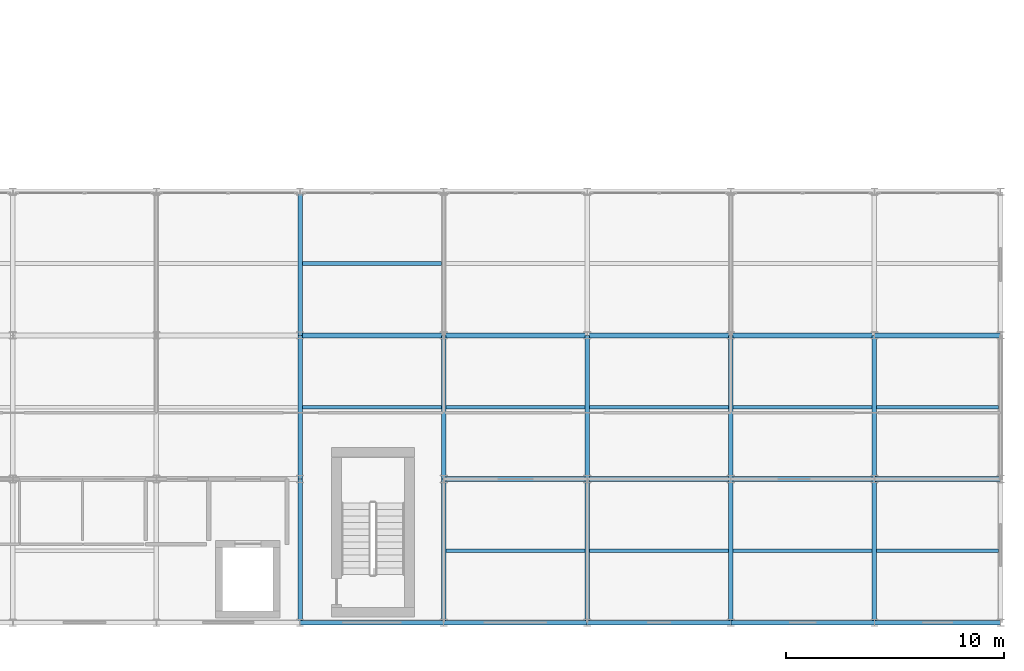
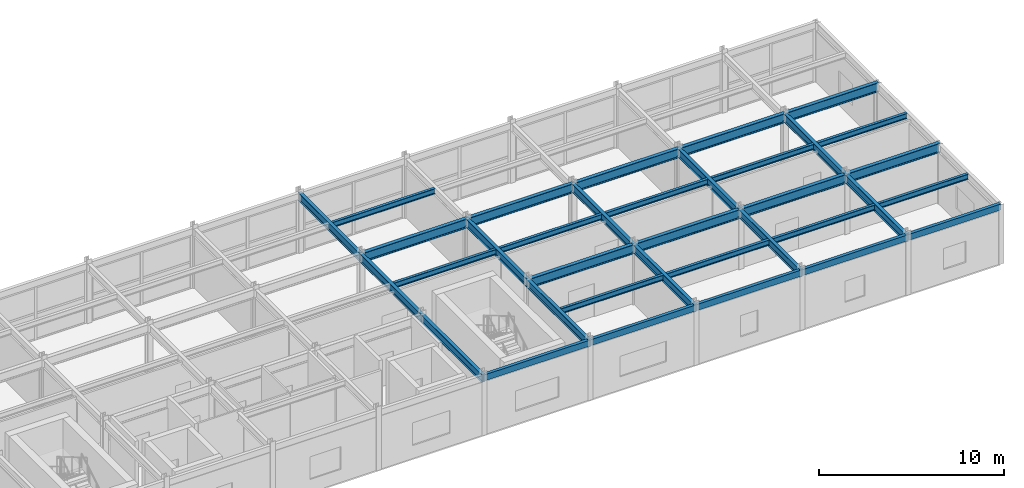
# One storey, part 84 of 134: 35 beams.
"""IFC4 building model written with IfcOpenShell, lengths in metres."""

import ifcopenshell
import ifcopenshell.guid

model = None  # the IFC model being written
_history = None  # IfcOwnerHistory: only IFC2X3 demands one
_inside = {}  # id of a spatial element -> (the spatial element, [elements in it])
_under = {}  # id of a project, library or spatial element -> (it, [spatial elements below it])
_declared = {}  # id of a project -> (the project, [libraries it declares])
_typed = {}  # id of a type object -> (the type object, [elements of that type])
_made_of = {}  # id of a material, layer set ... -> (it, [elements and type objects made of it])


def new_model(schema):
    """Start an empty IFC model of exactly this schema.

    Asked for "IFC4X3", IfcOpenShell would pick the latest addendum, in which some entities
    have other attributes; the version numbers below select the first issue.
    IFC2X3 requires an IfcOwnerHistory on every rooted entity: one is made here for all.
    """
    global model, _history
    if schema == "IFC4X3":
        model = ifcopenshell.file(schema_version=(4, 3, 0, 0))
    else:
        model = ifcopenshell.file(schema=schema)
    _inside.clear()
    _under.clear()
    _declared.clear()
    _typed.clear()
    _made_of.clear()
    _history = None
    if model.schema == "IFC2X3":
        org = make("IfcOrganization", Name="unknown")
        user = make(
            "IfcPersonAndOrganization",
            ThePerson=make("IfcPerson", FamilyName="unknown"),
            TheOrganization=org,
        )
        app = make(
            "IfcApplication",
            ApplicationDeveloper=org,
            Version="unknown",
            ApplicationFullName="unknown",
            ApplicationIdentifier="unknown",
        )
        _history = make(
            "IfcOwnerHistory",
            OwningUser=user,
            OwningApplication=app,
            ChangeAction="ADDED",
            CreationDate=0,
        )
    return model


def make(cls, **values):
    """One entity of the class cls with the attributes given. An attribute that is None is left unset."""
    return model.create_entity(
        cls, **{name: value for name, value in values.items() if value is not None}
    )


def rooted(cls, **values):
    """An entity with a GlobalId (a new one), such as an element, a storey or a relation."""
    return make(cls, GlobalId=ifcopenshell.guid.new(), OwnerHistory=_history, **values)


def si_unit(unit_type, name, prefix=None):
    """IfcSIUnit, for example si_unit("LENGTHUNIT", "METRE", prefix="MILLI")."""
    return make("IfcSIUnit", UnitType=unit_type, Prefix=prefix, Name=name)


def assignment(units):
    """IfcUnitAssignment: the units of a project."""
    return None if units is None else make("IfcUnitAssignment", Units=units)


def point(xyz):
    """IfcCartesianPoint."""
    return None if xyz is None else make("IfcCartesianPoint", Coordinates=xyz)


def direction(xyz):
    """IfcDirection."""
    return None if xyz is None else make("IfcDirection", DirectionRatios=xyz)


def frame(location, z_axis=None, x_axis=None):
    """IfcAxis2Placement3D, a coordinate frame: its origin and axes. An axis left out is left unset."""
    return make(
        "IfcAxis2Placement3D",
        Location=point(location),
        Axis=direction(z_axis),
        RefDirection=direction(x_axis),
    )


def frame_2d(location, x_axis=None):
    """IfcAxis2Placement2D, a coordinate frame in the plane: its origin and x axis."""
    return make(
        "IfcAxis2Placement2D", Location=point(location), RefDirection=direction(x_axis)
    )


def origin():
    """The frame at (0, 0, 0) with its axes left unset."""
    return frame((0.0, 0.0, 0.0))


def origin_2d():
    """The frame at (0, 0) in the plane with its x axis left unset."""
    return frame_2d((0.0, 0.0))


def place(relative_to, where):
    """IfcLocalPlacement: puts the frame where relative to a parent placement (None: the world)."""
    return make(
        "IfcLocalPlacement", PlacementRelTo=relative_to, RelativePlacement=where
    )


def context(
    kind, dimensions, precision=None, world=None, true_north=None, identifier=None
):
    """IfcGeometricRepresentationContext, for example the 3D "Model" context."""
    return make(
        "IfcGeometricRepresentationContext",
        ContextIdentifier=identifier,
        ContextType=kind,
        CoordinateSpaceDimension=dimensions,
        Precision=precision,
        WorldCoordinateSystem=world,
        TrueNorth=true_north,
    )


def subcontext(parent, identifier, kind, view, scale=None):
    """IfcGeometricRepresentationSubContext, for example "Body" below "Model"."""
    return make(
        "IfcGeometricRepresentationSubContext",
        ContextIdentifier=identifier,
        ContextType=kind,
        ParentContext=parent,
        TargetScale=scale,
        TargetView=view,
    )


def project(units=None, contexts=None):
    """IfcProject with its units and contexts."""
    return rooted(
        "IfcProject",
        Name="project",
        RepresentationContexts=contexts,
        UnitsInContext=assignment(units),
    )


def spatial(cls, under=None, at=None, **own):
    """A site, building, storey or space (cls), placed at a placement, below another one or the project."""
    s = rooted(cls, ObjectPlacement=at, **own)
    if under is not None:
        _under.setdefault(under.id(), (under, []))[1].append(s)
    return s


def profile(cls, at=None, kind="AREA", **sizes):
    """A parametric profile (cls). Its sizes go by their IFC names, for example OverallWidth=200.0."""
    return make(cls, ProfileType=kind, Position=at, **sizes)


def hollow_rectangle(**sizes):
    """IfcRectangleHollowProfileDef."""
    return profile("IfcRectangleHollowProfileDef", **sizes)


def i_section(**sizes):
    """IfcIShapeProfileDef."""
    return profile("IfcIShapeProfileDef", **sizes)


def extrude(swept, where, along, depth):
    """IfcExtrudedAreaSolid: the profile swept, set in the frame where, extruded along a direction by depth."""
    return make(
        "IfcExtrudedAreaSolid",
        SweptArea=swept,
        Position=where,
        ExtrudedDirection=direction(along),
        Depth=depth,
    )


def shape(context_of_items, identifier, shape_type, items):
    """IfcShapeRepresentation: the items that make up one representation, for example the "Body"."""
    return make(
        "IfcShapeRepresentation",
        ContextOfItems=context_of_items,
        RepresentationIdentifier=identifier,
        RepresentationType=shape_type,
        Items=items,
    )


def material(Name=None, Category=None):
    """IfcMaterial."""
    return make("IfcMaterial", Name=Name, Category=Category)


def material_profile(
    of_material, cross_section, Name=None, Category=None, Priority=None
):
    """IfcMaterialProfile: a cross section and its material."""
    return make(
        "IfcMaterialProfile",
        Name=Name,
        Material=of_material,
        Profile=cross_section,
        Priority=Priority,
        Category=Category,
    )


def profile_set(profiles, Name=None, composite=None):
    """IfcMaterialProfileSet."""
    return make(
        "IfcMaterialProfileSet",
        Name=Name,
        MaterialProfiles=profiles,
        CompositeProfile=composite,
    )


def made_of(thing, what):
    """Note that an element or type object is made of a material, layer set ...; save() writes the relation."""
    if what is not None:
        _made_of.setdefault(what.id(), (what, []))[1].append(thing)
    return thing


def type_object(cls, material=None, **own):
    """A type object (cls), such as IfcWallType, which elements share."""
    return made_of(rooted(cls, **own), material)


def element(
    cls,
    number,
    at=None,
    inside=None,
    cuts=None,
    type_object=None,
    material=None,
    context=None,
    identifier="Body",
    shape_type=None,
    held_by="IfcProductDefinitionShape",
    body=None,
    shapes=None,
    **own,
):
    """One element of the class cls, such as IfcWall. Its Tag is "e" and its number.

    at: its placement. inside: the storey or other place that contains it. cuts: it is an
    opening in that element (IfcRelVoidsElement). A single representation is given by context,
    identifier, shape_type and body (its items); several are given by shapes. held_by: the class
    of the entity that holds the representations. save() writes the other relations.
    """
    e = rooted(cls, Tag="e%d" % number, ObjectPlacement=at, **own)
    if body is not None:
        shapes = [shape(context, identifier, shape_type, body)]
    if shapes is not None:
        e.Representation = make(held_by, Representations=shapes)
    if inside is not None:
        _inside.setdefault(inside.id(), (inside, []))[1].append(e)
    if cuts is not None:
        rooted(
            "IfcRelVoidsElement", RelatingBuildingElement=cuts, RelatedOpeningElement=e
        )
    if type_object is not None:
        _typed.setdefault(type_object.id(), (type_object, []))[1].append(e)
    return made_of(e, material)


def aggregate(whole, parts):
    """IfcRelAggregates: a whole, such as a stair, and the parts it consists of."""
    return rooted("IfcRelAggregates", RelatingObject=whole, RelatedObjects=parts)


def save(model, path):
    """Write the relations noted so far, then the file.

    IfcRelAggregates (storeys below a building ...), IfcRelContainedInSpatialStructure (elements
    in a storey), IfcRelDefinesByType, IfcRelAssociatesMaterial and IfcRelDeclares: one each for
    every whole, place, type object, material and project.
    """
    for whole, parts in _under.values():
        aggregate(whole, parts)
    for where, things in _inside.values():
        rooted(
            "IfcRelContainedInSpatialStructure",
            RelatedElements=things,
            RelatingStructure=where,
        )
    for kind, things in _typed.values():
        rooted("IfcRelDefinesByType", RelatedObjects=things, RelatingType=kind)
    for what, things in _made_of.values():
        rooted("IfcRelAssociatesMaterial", RelatedObjects=things, RelatingMaterial=what)
    for by, libraries in _declared.values():
        rooted("IfcRelDeclares", RelatingContext=by, RelatedDefinitions=libraries)
    model.write(path)


model = new_model("IFC4")

# Units and contexts
model_context = context("Model", 3, precision=1e-05, world=origin(), true_north=direction((0.0, 1.0)))
body_context = subcontext(model_context, "Body", "Model", "MODEL_VIEW")
ifc_project = project(units=[si_unit("LENGTHUNIT", "METRE"), si_unit("AREAUNIT", "SQUARE_METRE"), si_unit("VOLUMEUNIT", "CUBIC_METRE"), si_unit("PLANEANGLEUNIT", "RADIAN"), si_unit("MASSUNIT", "GRAM", prefix="KILO")], contexts=[model_context])

# Site, building, storey
site_placement = place(None, origin())
site = spatial("IfcSite", under=ifc_project, at=site_placement, CompositionType="ELEMENT")
building_placement = place(site_placement, origin())
building = spatial("IfcBuilding", under=site, at=building_placement, Name="Karori Crest Natural Sciences Institute", CompositionType="ELEMENT")
storey_placement = place(building_placement, frame((0.0, 0.0, 21.699951171875)))
storey = spatial("IfcBuildingStorey", under=building, at=storey_placement, Name="L05", CompositionType="ELEMENT", Elevation=21.699951171875)

# Beams
ifc_material_1 = material(Name="Structural steel AS/NZS 3679.1 Grade 350", Category="steel")
ifc_material_profile_1 = material_profile(ifc_material_1, i_section(OverallWidth=0.22900390625, OverallDepth=0.612060546875, WebThickness=0.011962890625, FlangeThickness=0.01953125, FilletRadius=0.013916015625, at=origin_2d()), Name="610UB125")
ifc_profile_set_1 = profile_set([ifc_material_profile_1], Name="Structural steel AS/NZS 3679.1 Grade 350")
beam_type_1 = type_object("IfcBeamType", Name="BT-04", PredefinedType="BEAM", material=ifc_profile_set_1)
beam_1_placement = place(storey_placement, frame((136.60009765625, 7.39990234375, 3.614013671875), z_axis=(1.0, 0.0, 0.0), x_axis=(0.0, 1.0, 0.0)))
element("IfcBeam", 1, at=beam_1_placement, inside=storey, type_object=beam_type_1, Name="Beam B-2466", PredefinedType="BEAM", context=body_context, shape_type="SweptSolid", body=[
    extrude(i_section(OverallWidth=0.22900390625, OverallDepth=0.612060546875, WebThickness=0.011962890625, FlangeThickness=0.01953125, FilletRadius=0.013916015625, at=origin_2d()), origin(), (0.0, 0.0, 1.0), 6.599853515625),
])
beam_2_placement = place(storey_placement, frame((143.199951171875, 7.39990234375, 3.614013671875), z_axis=(1.0, 0.0, 0.0), x_axis=(0.0, 1.0, 0.0)))
element("IfcBeam", 2, at=beam_2_placement, inside=storey, type_object=beam_type_1, Name="Beam B-2467", PredefinedType="BEAM", context=body_context, shape_type="SweptSolid", body=[
    extrude(i_section(OverallWidth=0.22900390625, OverallDepth=0.612060546875, WebThickness=0.011962890625, FlangeThickness=0.01953125, FilletRadius=0.013916015625, at=origin_2d()), origin(), (0.0, 0.0, 1.0), 6.60009765625),
])
beam_3_placement = place(storey_placement, frame((149.800048828125, 7.39990234375, 3.614013671875), z_axis=(1.0, 0.0, 0.0), x_axis=(0.0, 1.0, 0.0)))
element("IfcBeam", 3, at=beam_3_placement, inside=storey, type_object=beam_type_1, Name="Beam B-2468", PredefinedType="BEAM", context=body_context, shape_type="SweptSolid", body=[
    extrude(i_section(OverallWidth=0.22900390625, OverallDepth=0.612060546875, WebThickness=0.011962890625, FlangeThickness=0.01953125, FilletRadius=0.013916015625, at=origin_2d()), origin(), (0.0, 0.0, 1.0), 6.599853515625),
])
beam_4_placement = place(storey_placement, frame((156.39990234375, 7.39990234375, 3.614013671875), z_axis=(1.0, 0.0, 0.0), x_axis=(0.0, 1.0, 0.0)))
element("IfcBeam", 4, at=beam_4_placement, inside=storey, type_object=beam_type_1, Name="Beam B-2469", PredefinedType="BEAM", context=body_context, shape_type="SweptSolid", body=[
    extrude(i_section(OverallWidth=0.22900390625, OverallDepth=0.612060546875, WebThickness=0.011962890625, FlangeThickness=0.01953125, FilletRadius=0.013916015625, at=origin_2d()), origin(), (0.0, 0.0, 1.0), 5.800048828125),
])
beam_5_placement = place(storey_placement, frame((130.0, 14.0, 3.614013671875), z_axis=(1.0, 0.0, 0.0), x_axis=(0.0, 1.0, 0.0)))
element("IfcBeam", 5, at=beam_5_placement, inside=storey, type_object=beam_type_1, Name="Beam B-2474", PredefinedType="BEAM", context=body_context, shape_type="SweptSolid", body=[
    extrude(i_section(OverallWidth=0.22900390625, OverallDepth=0.612060546875, WebThickness=0.011962890625, FlangeThickness=0.01953125, FilletRadius=0.013916015625, at=origin_2d()), origin(), (0.0, 0.0, 1.0), 6.60009765625),
])
beam_6_placement = place(storey_placement, frame((136.60009765625, 14.0, 3.614013671875), z_axis=(1.0, 0.0, 0.0), x_axis=(0.0, 1.0, 0.0)))
element("IfcBeam", 6, at=beam_6_placement, inside=storey, type_object=beam_type_1, Name="Beam B-2475", PredefinedType="BEAM", context=body_context, shape_type="SweptSolid", body=[
    extrude(i_section(OverallWidth=0.22900390625, OverallDepth=0.612060546875, WebThickness=0.011962890625, FlangeThickness=0.01953125, FilletRadius=0.013916015625, at=origin_2d()), origin(), (0.0, 0.0, 1.0), 6.599853515625),
])
beam_7_placement = place(storey_placement, frame((143.199951171875, 14.0, 3.614013671875), z_axis=(1.0, 0.0, 0.0), x_axis=(0.0, 1.0, 0.0)))
element("IfcBeam", 7, at=beam_7_placement, inside=storey, type_object=beam_type_1, Name="Beam B-2476", PredefinedType="BEAM", context=body_context, shape_type="SweptSolid", body=[
    extrude(i_section(OverallWidth=0.22900390625, OverallDepth=0.612060546875, WebThickness=0.011962890625, FlangeThickness=0.01953125, FilletRadius=0.013916015625, at=origin_2d()), origin(), (0.0, 0.0, 1.0), 6.60009765625),
])
beam_8_placement = place(storey_placement, frame((149.800048828125, 14.0, 3.614013671875), z_axis=(1.0, 0.0, 0.0), x_axis=(0.0, 1.0, 0.0)))
element("IfcBeam", 8, at=beam_8_placement, inside=storey, type_object=beam_type_1, Name="Beam B-2477", PredefinedType="BEAM", context=body_context, shape_type="SweptSolid", body=[
    extrude(i_section(OverallWidth=0.22900390625, OverallDepth=0.612060546875, WebThickness=0.011962890625, FlangeThickness=0.01953125, FilletRadius=0.013916015625, at=origin_2d()), origin(), (0.0, 0.0, 1.0), 6.599853515625),
])
beam_9_placement = place(storey_placement, frame((156.39990234375, 14.0, 3.614013671875), z_axis=(1.0, 0.0, 0.0), x_axis=(0.0, 1.0, 0.0)))
element("IfcBeam", 9, at=beam_9_placement, inside=storey, type_object=beam_type_1, Name="Beam B-2478", PredefinedType="BEAM", context=body_context, shape_type="SweptSolid", body=[
    extrude(i_section(OverallWidth=0.22900390625, OverallDepth=0.612060546875, WebThickness=0.011962890625, FlangeThickness=0.01953125, FilletRadius=0.013916015625, at=origin_2d()), origin(), (0.0, 0.0, 1.0), 5.800048828125),
])
ifc_material_profile_2 = material_profile(ifc_material_1, i_section(OverallWidth=0.208984375, OverallDepth=0.532958984375, WebThickness=0.01025390625, FlangeThickness=0.015625, FilletRadius=0.013916015625, at=origin_2d()), Name="530UB92.4")
ifc_profile_set_2 = profile_set([ifc_material_profile_2], Name="Structural steel AS/NZS 3679.1 Grade 350")
beam_type_2 = type_object("IfcBeamType", Name="BT-05", PredefinedType="BEAM", material=ifc_profile_set_2)
beam_10_placement = place(storey_placement, frame((130.0, 0.800048828125, 3.653564453125), z_axis=(0.0, 1.0, 0.0), x_axis=(-1.0, 0.0, 0.0)))
element("IfcBeam", 10, at=beam_10_placement, inside=storey, type_object=beam_type_2, Name="Beam B-2500", PredefinedType="BEAM", context=body_context, shape_type="SweptSolid", body=[
    extrude(i_section(OverallWidth=0.208984375, OverallDepth=0.532958984375, WebThickness=0.01025390625, FlangeThickness=0.015625, FilletRadius=0.013916015625, at=origin_2d()), origin(), (0.0, 0.0, 1.0), 6.599853515625),
])
for number, where, z_axis, x_axis, name in (
    (11, (130.0, 7.39990234375, 3.653564453125), (0.0, 1.0, 0.0), (-1.0, 0.0, 0.0), "Beam B-2501"),
    (12, (130.0, 14.0, 3.653564453125), (0.0, 1.0, 0.0), (-1.0, 0.0, 0.0), "Beam B-2502"),
):
    element("IfcBeam", number, at=place(storey_placement, frame(where, z_axis=z_axis, x_axis=x_axis)), inside=storey, type_object=beam_type_2, Name=name, PredefinedType="BEAM", context=body_context, shape_type="SweptSolid", body=[
        extrude(i_section(OverallWidth=0.208984375, OverallDepth=0.532958984375, WebThickness=0.01025390625, FlangeThickness=0.015625, FilletRadius=0.013916015625, at=origin_2d()), origin(), (0.0, 0.0, 1.0), 6.60009765625),
    ])
beam_11_placement = place(storey_placement, frame((136.60009765625, 0.800048828125, 3.653564453125), z_axis=(0.0, 1.0, 0.0), x_axis=(-1.0, 0.0, 0.0)))
element("IfcBeam", 13, at=beam_11_placement, inside=storey, type_object=beam_type_2, Name="Beam B-2503", PredefinedType="BEAM", context=body_context, shape_type="SweptSolid", body=[
    extrude(i_section(OverallWidth=0.208984375, OverallDepth=0.532958984375, WebThickness=0.01025390625, FlangeThickness=0.015625, FilletRadius=0.013916015625, at=origin_2d()), origin(), (0.0, 0.0, 1.0), 6.599853515625),
])
beam_12_placement = place(storey_placement, frame((136.60009765625, 7.39990234375, 3.653564453125), z_axis=(0.0, 1.0, 0.0), x_axis=(-1.0, 0.0, 0.0)))
element("IfcBeam", 14, at=beam_12_placement, inside=storey, type_object=beam_type_2, Name="Beam B-2504", PredefinedType="BEAM", context=body_context, shape_type="SweptSolid", body=[
    extrude(i_section(OverallWidth=0.208984375, OverallDepth=0.532958984375, WebThickness=0.01025390625, FlangeThickness=0.015625, FilletRadius=0.013916015625, at=origin_2d()), origin(), (0.0, 0.0, 1.0), 6.60009765625),
])
beam_13_placement = place(storey_placement, frame((143.199951171875, 0.800048828125, 3.653564453125), z_axis=(0.0, 1.0, 0.0), x_axis=(-1.0, 0.0, 0.0)))
element("IfcBeam", 15, at=beam_13_placement, inside=storey, type_object=beam_type_2, Name="Beam B-2506", PredefinedType="BEAM", context=body_context, shape_type="SweptSolid", body=[
    extrude(i_section(OverallWidth=0.208984375, OverallDepth=0.532958984375, WebThickness=0.01025390625, FlangeThickness=0.015625, FilletRadius=0.013916015625, at=origin_2d()), origin(), (0.0, 0.0, 1.0), 6.599853515625),
])
beam_14_placement = place(storey_placement, frame((143.199951171875, 7.39990234375, 3.653564453125), z_axis=(0.0, 1.0, 0.0), x_axis=(-1.0, 0.0, 0.0)))
element("IfcBeam", 16, at=beam_14_placement, inside=storey, type_object=beam_type_2, Name="Beam B-2507", PredefinedType="BEAM", context=body_context, shape_type="SweptSolid", body=[
    extrude(i_section(OverallWidth=0.208984375, OverallDepth=0.532958984375, WebThickness=0.01025390625, FlangeThickness=0.015625, FilletRadius=0.013916015625, at=origin_2d()), origin(), (0.0, 0.0, 1.0), 6.60009765625),
])
beam_15_placement = place(storey_placement, frame((149.800048828125, 0.800048828125, 3.653564453125), z_axis=(0.0, 1.0, 0.0), x_axis=(-1.0, 0.0, 0.0)))
element("IfcBeam", 17, at=beam_15_placement, inside=storey, type_object=beam_type_2, Name="Beam B-2509", PredefinedType="BEAM", context=body_context, shape_type="SweptSolid", body=[
    extrude(i_section(OverallWidth=0.208984375, OverallDepth=0.532958984375, WebThickness=0.01025390625, FlangeThickness=0.015625, FilletRadius=0.013916015625, at=origin_2d()), origin(), (0.0, 0.0, 1.0), 6.599853515625),
])
beam_16_placement = place(storey_placement, frame((149.800048828125, 7.39990234375, 3.653564453125), z_axis=(0.0, 1.0, 0.0), x_axis=(-1.0, 0.0, 0.0)))
element("IfcBeam", 18, at=beam_16_placement, inside=storey, type_object=beam_type_2, Name="Beam B-2510", PredefinedType="BEAM", context=body_context, shape_type="SweptSolid", body=[
    extrude(i_section(OverallWidth=0.208984375, OverallDepth=0.532958984375, WebThickness=0.01025390625, FlangeThickness=0.015625, FilletRadius=0.013916015625, at=origin_2d()), origin(), (0.0, 0.0, 1.0), 6.60009765625),
])
beam_17_placement = place(storey_placement, frame((156.39990234375, 0.800048828125, 3.653564453125), z_axis=(0.0, 1.0, 0.0), x_axis=(-1.0, 0.0, 0.0)))
element("IfcBeam", 19, at=beam_17_placement, inside=storey, type_object=beam_type_2, Name="Beam B-2512", PredefinedType="BEAM", context=body_context, shape_type="SweptSolid", body=[
    extrude(i_section(OverallWidth=0.208984375, OverallDepth=0.532958984375, WebThickness=0.01025390625, FlangeThickness=0.015625, FilletRadius=0.013916015625, at=origin_2d()), origin(), (0.0, 0.0, 1.0), 6.599853515625),
])
beam_18_placement = place(storey_placement, frame((156.39990234375, 7.39990234375, 3.653564453125), z_axis=(0.0, 1.0, 0.0), x_axis=(-1.0, 0.0, 0.0)))
element("IfcBeam", 20, at=beam_18_placement, inside=storey, type_object=beam_type_2, Name="Beam B-2513", PredefinedType="BEAM", context=body_context, shape_type="SweptSolid", body=[
    extrude(i_section(OverallWidth=0.208984375, OverallDepth=0.532958984375, WebThickness=0.01025390625, FlangeThickness=0.015625, FilletRadius=0.013916015625, at=origin_2d()), origin(), (0.0, 0.0, 1.0), 6.60009765625),
])
ifc_material_profile_3 = material_profile(ifc_material_1, i_section(OverallWidth=0.172119140625, OverallDepth=0.35888671875, WebThickness=0.008056640625, FlangeThickness=0.012939453125, FilletRadius=0.010986328125, at=origin_2d()), Name="360UB56.7")
ifc_profile_set_3 = profile_set([ifc_material_profile_3], Name="Structural steel AS/NZS 3679.1 Grade 350")
beam_type_3 = type_object("IfcBeamType", Name="BT-08", PredefinedType="BEAM", material=ifc_profile_set_3)
for number, where, z_axis, x_axis, name in (
    (21, (130.1044921875, 10.699951171875, 3.740478515625), (1.0, 0.0, 0.0), (0.0, 1.0, 0.0), "Beam B-2527"),
    (22, (130.1044921875, 17.300048828125, 3.740478515625), (1.0, 0.0, 0.0), (0.0, 1.0, 0.0), "Beam B-2528"),
):
    element("IfcBeam", number, at=place(storey_placement, frame(where, z_axis=z_axis, x_axis=x_axis)), inside=storey, type_object=beam_type_3, Name=name, PredefinedType="BEAM", context=body_context, shape_type="SweptSolid", body=[
        extrude(i_section(OverallWidth=0.172119140625, OverallDepth=0.35888671875, WebThickness=0.008056640625, FlangeThickness=0.012939453125, FilletRadius=0.010986328125, at=origin_2d()), origin(), (0.0, 0.0, 1.0), 6.39111328125),
    ])
for number, where, z_axis, x_axis, name in (
    (23, (136.70458984375, 4.10009765625, 3.740478515625), (1.0, 0.0, 0.0), (0.0, 1.0, 0.0), "Beam B-2529"),
    (24, (136.70458984375, 10.699951171875, 3.740478515625), (1.0, 0.0, 0.0), (0.0, 1.0, 0.0), "Beam B-2530"),
):
    element("IfcBeam", number, at=place(storey_placement, frame(where, z_axis=z_axis, x_axis=x_axis)), inside=storey, type_object=beam_type_3, Name=name, PredefinedType="BEAM", context=body_context, shape_type="SweptSolid", body=[
        extrude(i_section(OverallWidth=0.172119140625, OverallDepth=0.35888671875, WebThickness=0.008056640625, FlangeThickness=0.012939453125, FilletRadius=0.010986328125, at=origin_2d()), origin(), (0.0, 0.0, 1.0), 6.390869140625),
    ])
for number, where, z_axis, x_axis, name in (
    (25, (143.304443359375, 4.10009765625, 3.740478515625), (1.0, 0.0, 0.0), (0.0, 1.0, 0.0), "Beam B-2532"),
    (26, (143.304443359375, 10.699951171875, 3.740478515625), (1.0, 0.0, 0.0), (0.0, 1.0, 0.0), "Beam B-2533"),
):
    element("IfcBeam", number, at=place(storey_placement, frame(where, z_axis=z_axis, x_axis=x_axis)), inside=storey, type_object=beam_type_3, Name=name, PredefinedType="BEAM", context=body_context, shape_type="SweptSolid", body=[
        extrude(i_section(OverallWidth=0.172119140625, OverallDepth=0.35888671875, WebThickness=0.008056640625, FlangeThickness=0.012939453125, FilletRadius=0.010986328125, at=origin_2d()), origin(), (0.0, 0.0, 1.0), 6.39111328125),
    ])
for number, where, z_axis, x_axis, name in (
    (27, (149.904541015625, 4.10009765625, 3.740478515625), (1.0, 0.0, 0.0), (0.0, 1.0, 0.0), "Beam B-2535"),
    (28, (149.904541015625, 10.699951171875, 3.740478515625), (1.0, 0.0, 0.0), (0.0, 1.0, 0.0), "Beam B-2536"),
):
    element("IfcBeam", number, at=place(storey_placement, frame(where, z_axis=z_axis, x_axis=x_axis)), inside=storey, type_object=beam_type_3, Name=name, PredefinedType="BEAM", context=body_context, shape_type="SweptSolid", body=[
        extrude(i_section(OverallWidth=0.172119140625, OverallDepth=0.35888671875, WebThickness=0.008056640625, FlangeThickness=0.012939453125, FilletRadius=0.010986328125, at=origin_2d()), origin(), (0.0, 0.0, 1.0), 6.390869140625),
    ])
for number, where, z_axis, x_axis, name in (
    (29, (156.50439453125, 4.10009765625, 3.740478515625), (1.0, 0.0, 0.0), (0.0, 1.0, 0.0), "Beam B-2538"),
    (30, (156.50439453125, 10.699951171875, 3.740478515625), (1.0, 0.0, 0.0), (0.0, 1.0, 0.0), "Beam B-2539"),
):
    element("IfcBeam", number, at=place(storey_placement, frame(where, z_axis=z_axis, x_axis=x_axis)), inside=storey, type_object=beam_type_3, Name=name, PredefinedType="BEAM", context=body_context, shape_type="SweptSolid", body=[
        extrude(i_section(OverallWidth=0.172119140625, OverallDepth=0.35888671875, WebThickness=0.008056640625, FlangeThickness=0.012939453125, FilletRadius=0.010986328125, at=origin_2d()), origin(), (0.0, 0.0, 1.0), 5.591064453125),
    ])
ifc_material_2 = material(Name="Hollow structural steel AS/NZS 1163 Grade C350", Category="steel")
ifc_material_profile_4 = material_profile(ifc_material_2, hollow_rectangle(XDim=0.199951171875, YDim=0.39990234375, WallThickness=0.012451171875, at=origin_2d()), Name="RHS400x200x12.5")
ifc_profile_set_4 = profile_set([ifc_material_profile_4], Name="Hollow structural steel AS/NZS 1163 Grade C350")
beam_type_4 = type_object("IfcBeamType", Name="BT-14", PredefinedType="SPANDREL", material=ifc_profile_set_4)
beam_19_placement = place(storey_placement, frame((130.0, 0.800048828125, 3.719970703125), z_axis=(1.0, 0.0, 0.0), x_axis=(0.0, 1.0, 0.0)))
element("IfcBeam", 31, at=beam_19_placement, inside=storey, type_object=beam_type_4, Name="Beam B-2458", PredefinedType="SPANDREL", context=body_context, shape_type="SweptSolid", body=[
    extrude(hollow_rectangle(XDim=0.199951171875, YDim=0.39990234375, WallThickness=0.012451171875, at=origin_2d()), origin(), (0.0, 0.0, 1.0), 6.60009765625),
])
beam_20_placement = place(storey_placement, frame((136.60009765625, 0.800048828125, 3.719970703125), z_axis=(1.0, 0.0, 0.0), x_axis=(0.0, 1.0, 0.0)))
element("IfcBeam", 32, at=beam_20_placement, inside=storey, type_object=beam_type_4, Name="Beam B-2459", PredefinedType="SPANDREL", context=body_context, shape_type="SweptSolid", body=[
    extrude(hollow_rectangle(XDim=0.199951171875, YDim=0.39990234375, WallThickness=0.012451171875, at=origin_2d()), origin(), (0.0, 0.0, 1.0), 6.599853515625),
])
beam_21_placement = place(storey_placement, frame((143.199951171875, 0.800048828125, 3.719970703125), z_axis=(1.0, 0.0, 0.0), x_axis=(0.0, 1.0, 0.0)))
element("IfcBeam", 33, at=beam_21_placement, inside=storey, type_object=beam_type_4, Name="Beam B-2460", PredefinedType="SPANDREL", context=body_context, shape_type="SweptSolid", body=[
    extrude(hollow_rectangle(XDim=0.199951171875, YDim=0.39990234375, WallThickness=0.012451171875, at=origin_2d()), origin(), (0.0, 0.0, 1.0), 6.60009765625),
])
beam_22_placement = place(storey_placement, frame((149.800048828125, 0.800048828125, 3.719970703125), z_axis=(1.0, 0.0, 0.0), x_axis=(0.0, 1.0, 0.0)))
element("IfcBeam", 34, at=beam_22_placement, inside=storey, type_object=beam_type_4, Name="Beam B-2461", PredefinedType="SPANDREL", context=body_context, shape_type="SweptSolid", body=[
    extrude(hollow_rectangle(XDim=0.199951171875, YDim=0.39990234375, WallThickness=0.012451171875, at=origin_2d()), origin(), (0.0, 0.0, 1.0), 6.599853515625),
])
beam_23_placement = place(storey_placement, frame((156.39990234375, 0.800048828125, 3.719970703125), z_axis=(1.0, 0.0, 0.0), x_axis=(0.0, 1.0, 0.0)))
element("IfcBeam", 35, at=beam_23_placement, inside=storey, type_object=beam_type_4, Name="Beam B-2462", PredefinedType="SPANDREL", context=body_context, shape_type="SweptSolid", body=[
    extrude(hollow_rectangle(XDim=0.199951171875, YDim=0.39990234375, WallThickness=0.012451171875, at=origin_2d()), origin(), (0.0, 0.0, 1.0), 5.800048828125),
])

save(model, "model.ifc")
